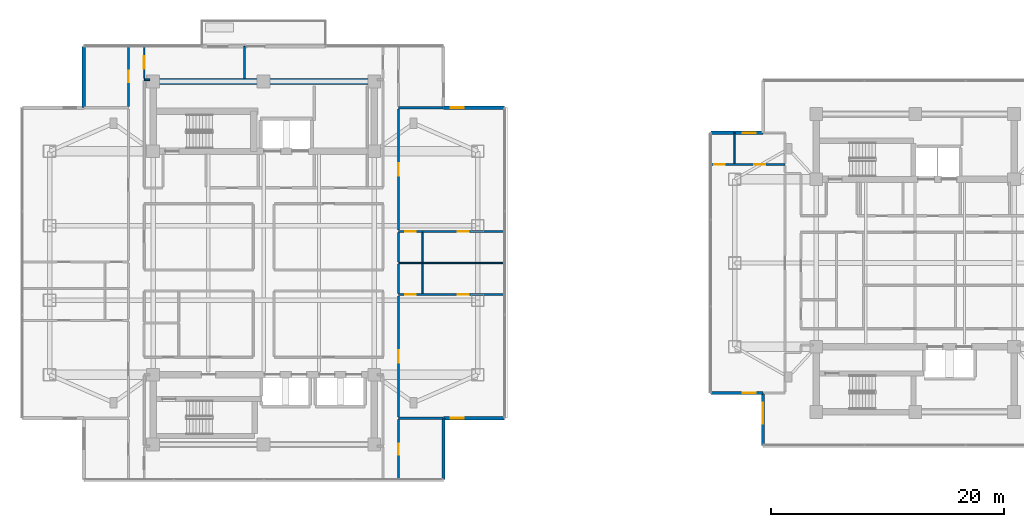
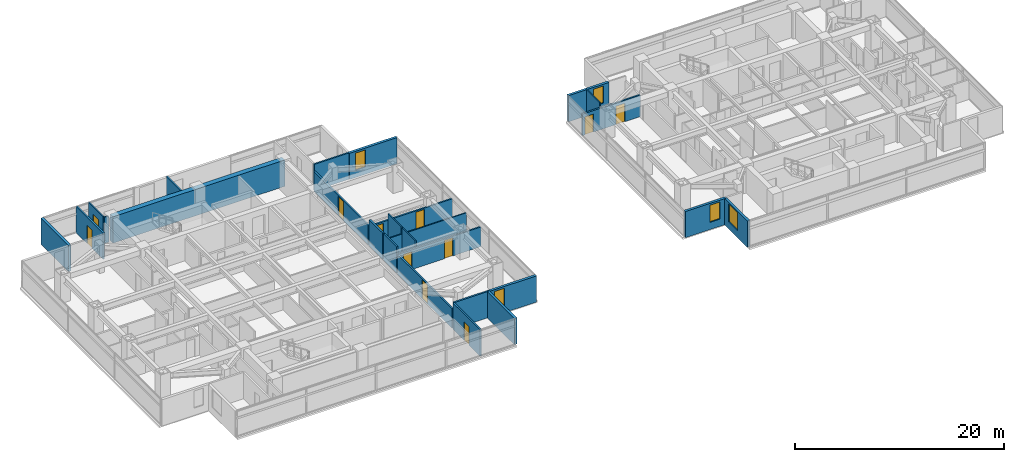
# One storey, part 16 of 26: 26 walls, 11 doors, 5 windows, 16 openings.
"""IFC4 building model written with IfcOpenShell, lengths in metres."""

from ifc_helpers import new_model, si_unit, direction, frame, frame_2d, origin, place, context, subcontext, project, spatial, rectangle, extrude, material, layer, layer_set, type_object, element, fill, save


model = new_model("IFC4")

# Units and contexts
model_context = context("Model", 3, precision=1e-05, world=origin(), true_north=direction((0.0, 1.0)))
body_context = subcontext(model_context, "Body", "Model", "MODEL_VIEW")
ifc_project = project(units=[si_unit("LENGTHUNIT", "METRE"), si_unit("AREAUNIT", "SQUARE_METRE"), si_unit("VOLUMEUNIT", "CUBIC_METRE"), si_unit("PLANEANGLEUNIT", "RADIAN"), si_unit("MASSUNIT", "GRAM", prefix="KILO")], contexts=[model_context])

# Site, building, storey
site_placement = place(None, origin())
site = spatial("IfcSite", under=ifc_project, at=site_placement, CompositionType="ELEMENT")
building_placement = place(site_placement, origin())
building = spatial("IfcBuilding", under=site, at=building_placement, Name="Mirazonda Arch Towers", CompositionType="ELEMENT")
storey_placement = place(building_placement, frame((0.0, 0.0, 128.0)))
storey = spatial("IfcBuildingStorey", under=building, at=storey_placement, Name="L36", CompositionType="ELEMENT", Elevation=128.0)

# Wall
ifc_material_1 = material(Name="Concrete C50/60", Category="concrete")
ifc_layer_1 = layer(ifc_material_1, 0.550048828125, Name="WALL-CORE-550")
ifc_layer_set_1 = layer_set([ifc_layer_1], Name="Concrete C50/60")
wall_type_1 = type_object("IfcWallType", Name="WALL-CORE-550", PredefinedType="SHEAR", material=ifc_layer_set_1)
wall_1_placement = place(storey_placement, frame((11.0, 43.60009765625, 0.0), z_axis=(0.0, 0.0, 1.0), x_axis=(1.0, 0.0, 0.0)))
element("IfcWall", 1, at=wall_1_placement, inside=storey, type_object=wall_type_1, Name="L36 T1N-N Core Shear Wall", PredefinedType="SHEAR", context=body_context, shape_type="SweptSolid", body=[
    extrude(rectangle(XDim=19.0, YDim=0.550048828125, at=frame_2d((9.5, 0.0))), origin(), (0.0, 0.0, 1.0), 3.080078125),
])

# Wall, opening, window
ifc_material_2 = material(Name="Precast Concrete C40/50", Category="concrete")
ifc_layer_2 = layer(ifc_material_2, 0.280029296875, Name="WALL-EXT-WALL-280")
ifc_layer_set_2 = layer_set([ifc_layer_2], Name="Precast Concrete C40/50")
wall_type_2 = type_object("IfcWallType", Name="WALL-EXT-WALL-280", PredefinedType="SOLIDWALL", material=ifc_layer_set_2)
wall_2_placement = place(storey_placement, frame((35.949951171875, 14.656005859375, 0.0), z_axis=(0.0, 0.0, 1.0), x_axis=(1.0, 0.0, 0.0)))
wall_2 = element("IfcWall", 2, at=wall_2_placement, inside=storey, type_object=wall_type_2, Name="L36 T1 Corner Notch Return Wall WL-L36-T1-CSE1", PredefinedType="SOLIDWALL", context=body_context, shape_type="SweptSolid", body=[
    extrude(rectangle(XDim=5.27001953125, YDim=0.280029296875, at=frame_2d((2.635009765625, 0.0))), origin(), (0.0, 0.0, 1.0), 3.06005859375),
])
opening_1_placement = place(wall_2_placement, frame((0.64990234375, 0.0, 0.85009765625)))
opening_1 = element("IfcOpeningElement", 3, at=opening_1_placement, cuts=wall_2, Name="Opening WN-108", PredefinedType="OPENING", context=body_context, shape_type="SweptSolid", body=[
    extrude(rectangle(XDim=1.10009765625, YDim=2.0, at=frame_2d((0.550048828125, 1.0))), frame((0.0, 0.14990234375, 0.0), z_axis=(0.0, -1.0, 0.0), x_axis=(1.0, 0.0, 0.0)), (0.0, 0.0, 1.0), 0.300048828125),
])
ifc_material_3 = material(Name="Insulated Low-E Solar Glass", Category="glass")
window_type_1 = type_object("IfcWindowType", Name="WIN-NOTCH-1100x2000", PartitioningType="SINGLE_PANEL", PredefinedType="WINDOW", material=ifc_material_3)
window_1_placement = place(opening_1_placement, origin())
window_1 = element("IfcWindow", 4, at=window_1_placement, inside=storey, type_object=window_type_1, Name="L36 Punched Facade Window WN-L36-T1-CSE1", OverallHeight=2.0, OverallWidth=1.10009765625, PartitioningType="SINGLE_PANEL", PredefinedType="WINDOW", context=body_context, shape_type="SweptSolid", body=[
    extrude(rectangle(XDim=1.10009765625, YDim=2.0, at=frame_2d((0.550048828125, 1.0))), frame((0.0, 0.030029296875, 0.0), z_axis=(0.0, -1.0, 0.0), x_axis=(1.0, 0.0, 0.0)), (0.0, 0.0, 1.0), 0.06005859375),
])
fill(opening_1, window_1)

# Walls
for number, where, z_axis, x_axis, name in (
    (5, (35.949951171875, 9.385986328125, 0.0), (0.0, 0.0, 1.0), (0.0, 1.0, 0.0), "L36 T1 Corner Notch Return Wall WL-L36-T1-CSE2"),
    (6, (5.050048828125, 46.614013671875, 0.0), (0.0, 0.0, 1.0), (0.0, -1.0, 0.0), "L36 T1 Corner Notch Return Wall WL-L36-T1-CNW2"),
):
    element("IfcWall", number, at=place(storey_placement, frame(where, z_axis=z_axis, x_axis=x_axis)), inside=storey, type_object=wall_type_2, Name=name, PredefinedType="SOLIDWALL", context=body_context, shape_type="SweptSolid", body=[
        extrude(rectangle(XDim=5.27001953125, YDim=0.280029296875, at=frame_2d((2.635009765625, 0.0))), origin(), (0.0, 0.0, 1.0), 3.06005859375),
    ])

# Wall, opening, window
wall_3_placement = place(storey_placement, frame((41.219970703125, 41.343994140625, 0.0), z_axis=(0.0, 0.0, 1.0), x_axis=(-1.0, 0.0, 0.0)))
wall_3 = element("IfcWall", 7, at=wall_3_placement, inside=storey, type_object=wall_type_2, Name="L36 T1 Corner Notch Return Wall WL-L36-T1-CNE2", PredefinedType="SOLIDWALL", context=body_context, shape_type="SweptSolid", body=[
    extrude(rectangle(XDim=5.27001953125, YDim=0.280029296875, at=frame_2d((2.635009765625, 0.0))), origin(), (0.0, 0.0, 1.0), 3.06005859375),
])
opening_2_placement = place(wall_3_placement, frame((3.52001953125, 0.0, 0.85009765625)))
opening_2 = element("IfcOpeningElement", 8, at=opening_2_placement, cuts=wall_3, Name="Opening WN-108", PredefinedType="OPENING", context=body_context, shape_type="SweptSolid", body=[
    extrude(rectangle(XDim=1.10009765625, YDim=2.0, at=frame_2d((0.550048828125, 1.0))), frame((0.0, 0.14990234375, 0.0), z_axis=(0.0, -1.0, 0.0), x_axis=(1.0, 0.0, 0.0)), (0.0, 0.0, 1.0), 0.300048828125),
])
window_2_placement = place(opening_2_placement, origin())
window_2 = element("IfcWindow", 9, at=window_2_placement, inside=storey, type_object=window_type_1, Name="L36 Punched Facade Window WN-L36-T1-CNE2", OverallHeight=2.0, OverallWidth=1.10009765625, PartitioningType="SINGLE_PANEL", PredefinedType="WINDOW", context=body_context, shape_type="SweptSolid", body=[
    extrude(rectangle(XDim=1.10009765625, YDim=2.0, at=frame_2d((0.550048828125, 1.0))), frame((0.0, 0.030029296875, 0.0), z_axis=(0.0, -1.0, 0.0), x_axis=(1.0, 0.0, 0.0)), (0.0, 0.0, 1.0), 0.06005859375),
])
fill(opening_2, window_2)

wall_4_placement = place(storey_placement, frame((63.427490234375, 16.817626953125, 0.0), z_axis=(0.0, 0.0, 1.0), x_axis=(0.0, -1.0, 0.0)))
wall_4 = element("IfcWall", 10, at=wall_4_placement, inside=storey, type_object=wall_type_2, Name="L36 T2 Notched SW Corner Wall WL-L36-T2-CSW", PredefinedType="SOLIDWALL", context=body_context, shape_type="SweptSolid", body=[
    extrude(rectangle(XDim=4.486572265625, YDim=0.280029296875, at=frame_2d((2.2431640625, 0.0))), origin(), (0.0, 0.0, 1.0), 3.06005859375),
])
opening_3_placement = place(wall_4_placement, frame((0.85009765625, 0.0, 0.81005859375)))
opening_3 = element("IfcOpeningElement", 11, at=opening_3_placement, cuts=wall_4, Name="Opening WN-116", PredefinedType="OPENING", context=body_context, shape_type="SweptSolid", body=[
    extrude(rectangle(XDim=1.800048828125, YDim=2.10009765625, at=frame_2d((0.89990234375, 1.050048828125))), frame((0.0, 0.14990234375, 0.0), z_axis=(0.0, -1.0, 0.0), x_axis=(1.0, 0.0, 0.0)), (0.0, 0.0, 1.0), 0.300048828125),
])
window_type_2 = type_object("IfcWindowType", Name="WIN-HTL-1800x2100", PartitioningType="SINGLE_PANEL", PredefinedType="WINDOW", material=ifc_material_3)
window_3_placement = place(opening_3_placement, origin())
window_3 = element("IfcWindow", 12, at=window_3_placement, inside=storey, type_object=window_type_2, Name="L36 Punched Facade Window WN-L36-T2-CSW", OverallHeight=2.10009765625, OverallWidth=1.800048828125, PartitioningType="SINGLE_PANEL", PredefinedType="WINDOW", context=body_context, shape_type="SweptSolid", body=[
    extrude(rectangle(XDim=1.800048828125, YDim=2.10009765625, at=frame_2d((0.89990234375, 1.050048828125))), frame((0.0, 0.030029296875, 0.0), z_axis=(0.0, -1.0, 0.0), x_axis=(1.0, 0.0, 0.0)), (0.0, 0.0, 1.0), 0.06005859375),
])
fill(opening_3, window_3)

wall_5_placement = place(storey_placement, frame((58.94091796875, 16.817626953125, 0.0), z_axis=(0.0, 0.0, 1.0), x_axis=(1.0, 0.0, 0.0)))
wall_5 = element("IfcWall", 13, at=wall_5_placement, inside=storey, type_object=wall_type_2, Name="L36 T2 Corner Notch Return Wall WL-L36-T2-CSW2", PredefinedType="SOLIDWALL", context=body_context, shape_type="SweptSolid", body=[
    extrude(rectangle(XDim=4.486572265625, YDim=0.280029296875, at=frame_2d((2.2431640625, 0.0))), origin(), (0.0, 0.0, 1.0), 3.06005859375),
])
opening_4_placement = place(wall_5_placement, frame((2.736083984375, 0.0, 0.85009765625)))
opening_4 = element("IfcOpeningElement", 14, at=opening_4_placement, cuts=wall_5, Name="Opening WN-108", PredefinedType="OPENING", context=body_context, shape_type="SweptSolid", body=[
    extrude(rectangle(XDim=1.10009765625, YDim=2.0, at=frame_2d((0.550048828125, 1.0))), frame((0.0, 0.14990234375, 0.0), z_axis=(0.0, -1.0, 0.0), x_axis=(1.0, 0.0, 0.0)), (0.0, 0.0, 1.0), 0.300048828125),
])
window_4_placement = place(opening_4_placement, origin())
window_4 = element("IfcWindow", 15, at=window_4_placement, inside=storey, type_object=window_type_1, Name="L36 Punched Facade Window WN-L36-T2-CSW2", OverallHeight=2.0, OverallWidth=1.10009765625, PartitioningType="SINGLE_PANEL", PredefinedType="WINDOW", context=body_context, shape_type="SweptSolid", body=[
    extrude(rectangle(XDim=1.10009765625, YDim=2.0, at=frame_2d((0.550048828125, 1.0))), frame((0.0, 0.030029296875, 0.0), z_axis=(0.0, -1.0, 0.0), x_axis=(1.0, 0.0, 0.0)), (0.0, 0.0, 1.0), 0.06005859375),
])
fill(opening_4, window_4)

wall_6_placement = place(storey_placement, frame((63.427490234375, 39.182373046875, 0.0), z_axis=(0.0, 0.0, 1.0), x_axis=(-1.0, 0.0, 0.0)))
wall_6 = element("IfcWall", 16, at=wall_6_placement, inside=storey, type_object=wall_type_2, Name="L36 T2 Corner Notch Return Wall WL-L36-T2-CNW1", PredefinedType="SOLIDWALL", context=body_context, shape_type="SweptSolid", body=[
    extrude(rectangle(XDim=4.486572265625, YDim=0.280029296875, at=frame_2d((2.2431640625, 0.0))), origin(), (0.0, 0.0, 1.0), 3.06005859375),
])
opening_5_placement = place(wall_6_placement, frame((0.64990234375, 0.0, 0.85009765625)))
opening_5 = element("IfcOpeningElement", 17, at=opening_5_placement, cuts=wall_6, Name="Opening WN-108", PredefinedType="OPENING", context=body_context, shape_type="SweptSolid", body=[
    extrude(rectangle(XDim=1.10009765625, YDim=2.0, at=frame_2d((0.550048828125, 1.0))), frame((0.0, 0.14990234375, 0.0), z_axis=(0.0, -1.0, 0.0), x_axis=(1.0, 0.0, 0.0)), (0.0, 0.0, 1.0), 0.300048828125),
])
window_5_placement = place(opening_5_placement, origin())
window_5 = element("IfcWindow", 18, at=window_5_placement, inside=storey, type_object=window_type_1, Name="L36 Punched Facade Window WN-L36-T2-CNW1", OverallHeight=2.0, OverallWidth=1.10009765625, PartitioningType="SINGLE_PANEL", PredefinedType="WINDOW", context=body_context, shape_type="SweptSolid", body=[
    extrude(rectangle(XDim=1.10009765625, YDim=2.0, at=frame_2d((0.550048828125, 1.0))), frame((0.0, 0.030029296875, 0.0), z_axis=(0.0, -1.0, 0.0), x_axis=(1.0, 0.0, 0.0)), (0.0, 0.0, 1.0), 0.06005859375),
])
fill(opening_5, window_5)

# Wall
ifc_material_4 = material(Name="Fire-Rated Gypsum Stud Partition")
ifc_layer_3 = layer(ifc_material_4, 0.14990234375, Name="WALL-PART-CORR-150")
ifc_layer_set_3 = layer_set([ifc_layer_3], Name="Fire-Rated Gypsum Stud Partition")
wall_type_3 = type_object("IfcWallType", Name="WALL-PART-CORR-150", PredefinedType="PARTITIONING", material=ifc_layer_set_3)
wall_7_placement = place(storey_placement, frame((10.239990234375, 43.75, 0.0), z_axis=(0.0, 0.0, 1.0), x_axis=(1.0, 0.0, 0.0)))
element("IfcWall", 19, at=wall_7_placement, inside=storey, type_object=wall_type_3, Name="L36 Interior Partition 057", PredefinedType="PARTITIONING", context=body_context, shape_type="SweptSolid", body=[
    extrude(rectangle(XDim=0.489990234375, YDim=0.14990234375, at=frame_2d((0.2451171875, 0.0))), origin(), (0.0, 0.0, 1.0), 3.080078125),
])

# Wall, opening, door
wall_8_placement = place(storey_placement, frame((10.239990234375, 43.8349609375, 0.0), z_axis=(0.0, 0.0, 1.0), x_axis=(0.0, 1.0, 0.0)))
wall_8 = element("IfcWall", 20, at=wall_8_placement, inside=storey, type_object=wall_type_3, Name="L36 Interior Partition 073", PredefinedType="PARTITIONING", context=body_context, shape_type="SweptSolid", body=[
    extrude(rectangle(XDim=2.779052734375, YDim=0.14990234375, at=frame_2d((1.3896484375, 0.0))), origin(), (0.0, 0.0, 1.0), 3.080078125),
])
opening_6_placement = place(wall_8_placement, frame((0.864501953125, 0.0, 0.0)))
opening_6 = element("IfcOpeningElement", 21, at=opening_6_placement, cuts=wall_8, Name="Opening DR-121", PredefinedType="OPENING", context=body_context, shape_type="SweptSolid", body=[
    extrude(rectangle(XDim=1.050048828125, YDim=2.199951171875, at=frame_2d((0.52490234375, 1.10009765625))), frame((0.0, 0.0849609375, 0.0), z_axis=(0.0, -1.0, 0.0), x_axis=(1.0, 0.0, 0.0)), (0.0, 0.0, 1.0), 0.169921875),
])
ifc_material_5 = material(Name="Architectural Brushed Steel S355", Category="steel")
door_type_1 = type_object("IfcDoorType", Name="DOOR-SUITE-FD60-1050", OperationType="NOTDEFINED", PredefinedType="DOOR", material=ifc_material_5)
door_1_placement = place(opening_6_placement, origin())
door_1 = element("IfcDoor", 22, at=door_1_placement, inside=storey, type_object=door_type_1, Name="L36 North Reading Salon West Door", OperationType="SINGLE_SWING_LEFT", OverallHeight=2.199951171875, OverallWidth=1.050048828125, PredefinedType="DOOR", context=body_context, shape_type="SweptSolid", body=[
    extrude(rectangle(XDim=1.050048828125, YDim=2.199951171875, at=frame_2d((0.52490234375, 1.10009765625))), frame((0.0, 0.02490234375, 0.0), z_axis=(0.0, -1.0, 0.0), x_axis=(1.0, 0.0, 0.0)), (0.0, 0.0, 1.0), 0.050048828125),
])
fill(opening_6, door_1)

# Walls
wall_9_placement = place(storey_placement, frame((18.85791015625, 43.8701171875, 0.0), z_axis=(0.0, 0.0, 1.0), x_axis=(0.0, 1.0, 0.0)))
element("IfcWall", 23, at=wall_9_placement, inside=storey, type_object=wall_type_3, Name="L36 Interior Partition 078", PredefinedType="PARTITIONING", context=body_context, shape_type="SweptSolid", body=[
    extrude(rectangle(XDim=2.743896484375, YDim=0.14990234375, at=frame_2d((1.3720703125, 0.0))), origin(), (0.0, 0.0, 1.0), 3.080078125),
])
ifc_material_6 = material(Name="Fire-Rated Gypsum Twin-Stud Assembly")
ifc_layer_4 = layer(ifc_material_6, 0.179931640625, Name="WALL-PART-DEMISE-180")
ifc_layer_set_4 = layer_set([ifc_layer_4], Name="Fire-Rated Gypsum Twin-Stud Assembly")
wall_type_4 = type_object("IfcWallType", Name="WALL-PART-DEMISE-180", PredefinedType="PARTITIONING", material=ifc_layer_set_4)
wall_10_placement = place(storey_placement, frame((32.10009765625, 14.656005859375, 0.0), z_axis=(0.0, 0.0, 1.0), x_axis=(1.0, 0.0, 0.0)))
element("IfcWall", 24, at=wall_10_placement, inside=storey, type_object=wall_type_4, Name="L36 Interior Partition 005", PredefinedType="PARTITIONING", context=body_context, shape_type="SweptSolid", body=[
    extrude(rectangle(XDim=3.829833984375, YDim=0.179931640625, at=frame_2d((1.9150390625, 0.0))), origin(), (0.0, 0.0, 1.0), 3.080078125),
])

# Wall, openings, doors
wall_11_placement = place(storey_placement, frame((32.10009765625, 25.280029296875, 0.0), z_axis=(0.0, 0.0, 1.0), x_axis=(1.0, 0.0, 0.0)))
wall_11 = element("IfcWall", 25, at=wall_11_placement, inside=storey, type_object=wall_type_4, Name="L36 Interior Partition 026", PredefinedType="PARTITIONING", context=body_context, shape_type="SweptSolid", body=[
    extrude(rectangle(XDim=9.119873046875, YDim=0.179931640625, at=frame_2d((4.56005859375, 0.0))), origin(), (0.0, 0.0, 1.0), 2.299072265625),
])
opening_7_placement = place(wall_11_placement, frame((5.0849609375, 0.0, 0.0)))
opening_7 = element("IfcOpeningElement", 26, at=opening_7_placement, cuts=wall_11, Name="Opening DR-104", PredefinedType="OPENING", context=body_context, shape_type="SweptSolid", body=[
    extrude(rectangle(XDim=0.949951171875, YDim=2.14990234375, at=frame_2d((0.47509765625, 1.074951171875))), frame((0.0, 0.099853515625, 0.0), z_axis=(0.0, -1.0, 0.0), x_axis=(1.0, 0.0, 0.0)), (0.0, 0.0, 1.0), 0.199951171875),
])
opening_8_placement = place(wall_11_placement, frame((0.590087890625, 0.0, 0.0)))
opening_8 = element("IfcOpeningElement", 27, at=opening_8_placement, cuts=wall_11, Name="Opening DR-120", PredefinedType="OPENING", context=body_context, shape_type="SweptSolid", body=[
    extrude(rectangle(XDim=0.89990234375, YDim=2.10009765625, at=frame_2d((0.449951171875, 1.050048828125))), frame((0.0, 0.099853515625, 0.0), z_axis=(0.0, -1.0, 0.0), x_axis=(1.0, 0.0, 0.0)), (0.0, 0.0, 1.0), 0.199951171875),
])
door_type_2 = type_object("IfcDoorType", Name="DOOR-ROOM-950", OperationType="NOTDEFINED", PredefinedType="DOOR", material=ifc_material_5)
door_2_placement = place(opening_7_placement, origin())
door_2 = element("IfcDoor", 28, at=door_2_placement, inside=storey, type_object=door_type_2, Name="L36 Suite Bedroom 1 Door", OperationType="SINGLE_SWING_LEFT", OverallHeight=2.14990234375, OverallWidth=0.949951171875, PredefinedType="DOOR", context=body_context, shape_type="SweptSolid", body=[
    extrude(rectangle(XDim=0.949951171875, YDim=2.14990234375, at=frame_2d((0.47509765625, 1.074951171875))), frame((0.0, 0.02490234375, 0.0), z_axis=(0.0, -1.0, 0.0), x_axis=(1.0, 0.0, 0.0)), (0.0, 0.0, 1.0), 0.050048828125),
])
fill(opening_7, door_2)
door_type_3 = type_object("IfcDoorType", Name="DOOR-WC-900", OperationType="NOTDEFINED", PredefinedType="DOOR", material=ifc_material_5)
door_3_placement = place(opening_8_placement, origin())
door_3 = element("IfcDoor", 29, at=door_3_placement, inside=storey, type_object=door_type_3, Name="L36 Suite En-Suite Bathroom 1 Door", OperationType="SINGLE_SWING_RIGHT", OverallHeight=2.10009765625, OverallWidth=0.89990234375, PredefinedType="DOOR", context=body_context, shape_type="SweptSolid", body=[
    extrude(rectangle(XDim=0.89990234375, YDim=2.10009765625, at=frame_2d((0.449951171875, 1.050048828125))), frame((0.0, 0.02490234375, 0.0), z_axis=(0.0, -1.0, 0.0), x_axis=(1.0, 0.0, 0.0)), (0.0, 0.0, 1.0), 0.050048828125),
])
fill(opening_8, door_3)

wall_12_placement = place(storey_placement, frame((32.10009765625, 30.719970703125, 0.0), z_axis=(0.0, 0.0, 1.0), x_axis=(1.0, 0.0, 0.0)))
wall_12 = element("IfcWall", 30, at=wall_12_placement, inside=storey, type_object=wall_type_4, Name="L36 Interior Partition 039", PredefinedType="PARTITIONING", context=body_context, shape_type="SweptSolid", body=[
    extrude(rectangle(XDim=9.119873046875, YDim=0.179931640625, at=frame_2d((4.56005859375, 0.0))), origin(), (0.0, 0.0, 1.0), 2.299072265625),
])
opening_9_placement = place(wall_12_placement, frame((5.0849609375, 0.0, 0.0)))
opening_9 = element("IfcOpeningElement", 31, at=opening_9_placement, cuts=wall_12, Name="Opening DR-104", PredefinedType="OPENING", context=body_context, shape_type="SweptSolid", body=[
    extrude(rectangle(XDim=0.949951171875, YDim=2.14990234375, at=frame_2d((0.47509765625, 1.074951171875))), frame((0.0, 0.099853515625, 0.0), z_axis=(0.0, -1.0, 0.0), x_axis=(1.0, 0.0, 0.0)), (0.0, 0.0, 1.0), 0.199951171875),
])
opening_10_placement = place(wall_12_placement, frame((0.590087890625, 0.0, 0.0)))
opening_10 = element("IfcOpeningElement", 32, at=opening_10_placement, cuts=wall_12, Name="Opening DR-120", PredefinedType="OPENING", context=body_context, shape_type="SweptSolid", body=[
    extrude(rectangle(XDim=0.89990234375, YDim=2.10009765625, at=frame_2d((0.449951171875, 1.050048828125))), frame((0.0, 0.099853515625, 0.0), z_axis=(0.0, -1.0, 0.0), x_axis=(1.0, 0.0, 0.0)), (0.0, 0.0, 1.0), 0.199951171875),
])
door_4_placement = place(opening_9_placement, origin())
door_4 = element("IfcDoor", 33, at=door_4_placement, inside=storey, type_object=door_type_2, Name="L36 Suite Bedroom 2 Door", OperationType="SINGLE_SWING_RIGHT", OverallHeight=2.14990234375, OverallWidth=0.949951171875, PredefinedType="DOOR", context=body_context, shape_type="SweptSolid", body=[
    extrude(rectangle(XDim=0.949951171875, YDim=2.14990234375, at=frame_2d((0.47509765625, 1.074951171875))), frame((0.0, 0.02490234375, 0.0), z_axis=(0.0, -1.0, 0.0), x_axis=(1.0, 0.0, 0.0)), (0.0, 0.0, 1.0), 0.050048828125),
])
fill(opening_9, door_4)
door_5_placement = place(opening_10_placement, origin())
door_5 = element("IfcDoor", 34, at=door_5_placement, inside=storey, type_object=door_type_3, Name="L36 Suite En-Suite Bathroom 2 Door", OperationType="SINGLE_SWING_LEFT", OverallHeight=2.10009765625, OverallWidth=0.89990234375, PredefinedType="DOOR", context=body_context, shape_type="SweptSolid", body=[
    extrude(rectangle(XDim=0.89990234375, YDim=2.10009765625, at=frame_2d((0.449951171875, 1.050048828125))), frame((0.0, 0.02490234375, 0.0), z_axis=(0.0, -1.0, 0.0), x_axis=(1.0, 0.0, 0.0)), (0.0, 0.0, 1.0), 0.050048828125),
])
fill(opening_10, door_5)

wall_13_placement = place(storey_placement, frame((58.94091796875, 36.4619140625, 0.0), z_axis=(0.0, 0.0, 1.0), x_axis=(1.0, 0.0, 0.0)))
wall_13 = element("IfcWall", 35, at=wall_13_placement, inside=storey, type_object=wall_type_4, Name="L36 Interior Partition 049", PredefinedType="PARTITIONING", context=body_context, shape_type="SweptSolid", body=[
    extrude(rectangle(XDim=6.379150390625, YDim=0.179931640625, at=frame_2d((3.189453125, 0.0))), origin(), (0.0, 0.0, 1.0), 2.52294921875),
])
opening_11_placement = place(wall_13_placement, frame((3.714599609375, 0.0, 0.0)))
opening_11 = element("IfcOpeningElement", 36, at=opening_11_placement, cuts=wall_13, Name="Opening DR-104", PredefinedType="OPENING", context=body_context, shape_type="SweptSolid", body=[
    extrude(rectangle(XDim=0.949951171875, YDim=2.14990234375, at=frame_2d((0.47509765625, 1.074951171875))), frame((0.0, 0.099853515625, 0.0), z_axis=(0.0, -1.0, 0.0), x_axis=(1.0, 0.0, 0.0)), (0.0, 0.0, 1.0), 0.199951171875),
])
opening_12_placement = place(wall_13_placement, frame((0.2900390625, 0.0, 0.0)))
opening_12 = element("IfcOpeningElement", 37, at=opening_12_placement, cuts=wall_13, Name="Opening DR-120", PredefinedType="OPENING", context=body_context, shape_type="SweptSolid", body=[
    extrude(rectangle(XDim=0.89990234375, YDim=2.10009765625, at=frame_2d((0.449951171875, 1.050048828125))), frame((0.0, 0.099853515625, 0.0), z_axis=(0.0, -1.0, 0.0), x_axis=(1.0, 0.0, 0.0)), (0.0, 0.0, 1.0), 0.199951171875),
])
door_6_placement = place(opening_11_placement, origin())
door_6 = element("IfcDoor", 38, at=door_6_placement, inside=storey, type_object=door_type_2, Name="L36 Suite Bedroom 1 Door", OperationType="SINGLE_SWING_RIGHT", OverallHeight=2.14990234375, OverallWidth=0.949951171875, PredefinedType="DOOR", context=body_context, shape_type="SweptSolid", body=[
    extrude(rectangle(XDim=0.949951171875, YDim=2.14990234375, at=frame_2d((0.47509765625, 1.074951171875))), frame((0.0, 0.02490234375, 0.0), z_axis=(0.0, -1.0, 0.0), x_axis=(1.0, 0.0, 0.0)), (0.0, 0.0, 1.0), 0.050048828125),
])
fill(opening_11, door_6)
door_7_placement = place(opening_12_placement, origin())
door_7 = element("IfcDoor", 39, at=door_7_placement, inside=storey, type_object=door_type_3, Name="L36 Suite En-Suite Bathroom 1 Door", OperationType="SINGLE_SWING_LEFT", OverallHeight=2.10009765625, OverallWidth=0.89990234375, PredefinedType="DOOR", context=body_context, shape_type="SweptSolid", body=[
    extrude(rectangle(XDim=0.89990234375, YDim=2.10009765625, at=frame_2d((0.449951171875, 1.050048828125))), frame((0.0, 0.02490234375, 0.0), z_axis=(0.0, -1.0, 0.0), x_axis=(1.0, 0.0, 0.0)), (0.0, 0.0, 1.0), 0.050048828125),
])
fill(opening_12, door_7)

# Wall
wall_14_placement = place(storey_placement, frame((32.10009765625, 41.343994140625, 0.0), z_axis=(0.0, 0.0, 1.0), x_axis=(1.0, 0.0, 0.0)))
element("IfcWall", 40, at=wall_14_placement, inside=storey, type_object=wall_type_4, Name="L36 Interior Partition 056", PredefinedType="PARTITIONING", context=body_context, shape_type="SweptSolid", body=[
    extrude(rectangle(XDim=3.829833984375, YDim=0.179931640625, at=frame_2d((1.9150390625, 0.0))), origin(), (0.0, 0.0, 1.0), 3.080078125),
])

# Wall, opening, door
wall_15_placement = place(storey_placement, frame((8.89990234375, 41.444091796875, 0.0), z_axis=(0.0, 0.0, 1.0), x_axis=(0.0, 1.0, 0.0)))
wall_15 = element("IfcWall", 41, at=wall_15_placement, inside=storey, type_object=wall_type_4, Name="L36 Interior Partition 066", PredefinedType="PARTITIONING", context=body_context, shape_type="SweptSolid", body=[
    extrude(rectangle(XDim=5.169921875, YDim=0.179931640625, at=frame_2d((2.5849609375, 0.0))), origin(), (0.0, 0.0, 1.0), 3.080078125),
])
opening_13_placement = place(wall_15_placement, frame((2.110107421875, 0.0, 0.0)))
opening_13 = element("IfcOpeningElement", 42, at=opening_13_placement, cuts=wall_15, Name="Opening DR-104", PredefinedType="OPENING", context=body_context, shape_type="SweptSolid", body=[
    extrude(rectangle(XDim=0.949951171875, YDim=2.14990234375, at=frame_2d((0.47509765625, 1.074951171875))), frame((0.0, 0.099853515625, 0.0), z_axis=(0.0, -1.0, 0.0), x_axis=(1.0, 0.0, 0.0)), (0.0, 0.0, 1.0), 0.199951171875),
])
door_8_placement = place(opening_13_placement, origin())
door_8 = element("IfcDoor", 43, at=door_8_placement, inside=storey, type_object=door_type_2, Name="L36 North Reading Salon Alcove West Door", OperationType="SINGLE_SWING_LEFT", OverallHeight=2.14990234375, OverallWidth=0.949951171875, PredefinedType="DOOR", context=body_context, shape_type="SweptSolid", body=[
    extrude(rectangle(XDim=0.949951171875, YDim=2.14990234375, at=frame_2d((0.47509765625, 1.074951171875))), frame((0.0, 0.02490234375, 0.0), z_axis=(0.0, -1.0, 0.0), x_axis=(1.0, 0.0, 0.0)), (0.0, 0.0, 1.0), 0.050048828125),
])
fill(opening_13, door_8)

wall_16_placement = place(storey_placement, frame((32.10009765625, 9.385986328125, 0.0), z_axis=(0.0, 0.0, 1.0), x_axis=(0.0, 1.0, 0.0)))
wall_16 = element("IfcWall", 44, at=wall_16_placement, inside=storey, type_object=wall_type_4, Name="L36 Interior Partition 102", PredefinedType="PARTITIONING", context=body_context, shape_type="SweptSolid", body=[
    extrude(rectangle(XDim=5.169921875, YDim=0.179931640625, at=frame_2d((2.5849609375, 0.0))), origin(), (0.0, 0.0, 1.0), 3.080078125),
])
opening_14_placement = place(wall_16_placement, frame((2.110107421875, 0.0, 0.0)))
opening_14 = element("IfcOpeningElement", 45, at=opening_14_placement, cuts=wall_16, Name="Opening DR-104", PredefinedType="OPENING", context=body_context, shape_type="SweptSolid", body=[
    extrude(rectangle(XDim=0.949951171875, YDim=2.14990234375, at=frame_2d((0.47509765625, 1.074951171875))), frame((0.0, 0.099853515625, 0.0), z_axis=(0.0, -1.0, 0.0), x_axis=(1.0, 0.0, 0.0)), (0.0, 0.0, 1.0), 0.199951171875),
])
door_9_placement = place(opening_14_placement, origin())
door_9 = element("IfcDoor", 46, at=door_9_placement, inside=storey, type_object=door_type_2, Name="L36 South Horizon Lounge Alcove East Door", OperationType="SINGLE_SWING_RIGHT", OverallHeight=2.14990234375, OverallWidth=0.949951171875, PredefinedType="DOOR", context=body_context, shape_type="SweptSolid", body=[
    extrude(rectangle(XDim=0.949951171875, YDim=2.14990234375, at=frame_2d((0.47509765625, 1.074951171875))), frame((0.0, 0.02490234375, 0.0), z_axis=(0.0, -1.0, 0.0), x_axis=(1.0, 0.0, 0.0)), (0.0, 0.0, 1.0), 0.050048828125),
])
fill(opening_14, door_9)

wall_17_placement = place(storey_placement, frame((32.10009765625, 14.756103515625, 0.0), z_axis=(0.0, 0.0, 1.0), x_axis=(0.0, 1.0, 0.0)))
wall_17 = element("IfcWall", 47, at=wall_17_placement, inside=storey, type_object=wall_type_4, Name="L36 Interior Partition 103", PredefinedType="PARTITIONING", context=body_context, shape_type="SweptSolid", body=[
    extrude(rectangle(XDim=10.423828125, YDim=0.179931640625, at=frame_2d((5.2119140625, 0.0))), origin(), (0.0, 0.0, 1.0), 2.299072265625),
])
opening_15_placement = place(wall_17_placement, frame((4.68701171875, 0.0, 0.0)))
opening_15 = element("IfcOpeningElement", 48, at=opening_15_placement, cuts=wall_17, Name="Opening DR-121", PredefinedType="OPENING", context=body_context, shape_type="SweptSolid", body=[
    extrude(rectangle(XDim=1.050048828125, YDim=2.199951171875, at=frame_2d((0.52490234375, 1.10009765625))), frame((0.0, 0.099853515625, 0.0), z_axis=(0.0, -1.0, 0.0), x_axis=(1.0, 0.0, 0.0)), (0.0, 0.0, 1.0), 0.199951171875),
])
door_10_placement = place(opening_15_placement, origin())
door_10 = element("IfcDoor", 49, at=door_10_placement, inside=storey, type_object=door_type_1, Name="L36 Presidential Hotel Suite 1 Door", OperationType="SINGLE_SWING_RIGHT", OverallHeight=2.199951171875, OverallWidth=1.050048828125, PredefinedType="DOOR", context=body_context, shape_type="SweptSolid", body=[
    extrude(rectangle(XDim=1.050048828125, YDim=2.199951171875, at=frame_2d((0.52490234375, 1.10009765625))), frame((0.0, 0.02490234375, 0.0), z_axis=(0.0, -1.0, 0.0), x_axis=(1.0, 0.0, 0.0)), (0.0, 0.0, 1.0), 0.050048828125),
])
fill(opening_15, door_10)

# Walls
for number, where, z_axis, x_axis, name in (
    (50, (32.10009765625, 25.3798828125, 0.0), (0.0, 0.0, 1.0), (0.0, 1.0, 0.0), "L36 Interior Partition 104"),
    (51, (32.10009765625, 28.072509765625, 0.0), (0.0, 0.0, 1.0), (0.0, 1.0, 0.0), "L36 Interior Partition 105"),
):
    element("IfcWall", number, at=place(storey_placement, frame(where, z_axis=z_axis, x_axis=x_axis)), inside=storey, type_object=wall_type_4, Name=name, PredefinedType="PARTITIONING", context=body_context, shape_type="SweptSolid", body=[
        extrude(rectangle(XDim=2.547607421875, YDim=0.179931640625, at=frame_2d((1.27392578125, 0.0))), origin(), (0.0, 0.0, 1.0), 3.080078125),
    ])

# Wall, opening, door
wall_18_placement = place(storey_placement, frame((32.10009765625, 30.820068359375, 0.0), z_axis=(0.0, 0.0, 1.0), x_axis=(0.0, 1.0, 0.0)))
wall_18 = element("IfcWall", 52, at=wall_18_placement, inside=storey, type_object=wall_type_4, Name="L36 Interior Partition 106", PredefinedType="PARTITIONING", context=body_context, shape_type="SweptSolid", body=[
    extrude(rectangle(XDim=10.423828125, YDim=0.179931640625, at=frame_2d((5.2119140625, 0.0))), origin(), (0.0, 0.0, 1.0), 2.299072265625),
])
opening_16_placement = place(wall_18_placement, frame((4.68701171875, 0.0, 0.0)))
opening_16 = element("IfcOpeningElement", 53, at=opening_16_placement, cuts=wall_18, Name="Opening DR-121", PredefinedType="OPENING", context=body_context, shape_type="SweptSolid", body=[
    extrude(rectangle(XDim=1.050048828125, YDim=2.199951171875, at=frame_2d((0.52490234375, 1.10009765625))), frame((0.0, 0.099853515625, 0.0), z_axis=(0.0, -1.0, 0.0), x_axis=(1.0, 0.0, 0.0)), (0.0, 0.0, 1.0), 0.199951171875),
])
door_11_placement = place(opening_16_placement, origin())
door_11 = element("IfcDoor", 54, at=door_11_placement, inside=storey, type_object=door_type_1, Name="L36 Presidential Hotel Suite 2 Door", OperationType="SINGLE_SWING_LEFT", OverallHeight=2.199951171875, OverallWidth=1.050048828125, PredefinedType="DOOR", context=body_context, shape_type="SweptSolid", body=[
    extrude(rectangle(XDim=1.050048828125, YDim=2.199951171875, at=frame_2d((0.52490234375, 1.10009765625))), frame((0.0, 0.02490234375, 0.0), z_axis=(0.0, -1.0, 0.0), x_axis=(1.0, 0.0, 0.0)), (0.0, 0.0, 1.0), 0.050048828125),
])
fill(opening_16, door_11)

# Walls
ifc_material_7 = material(Name="Acoustic Fire-Rated Gypsum Partition")
ifc_layer_5 = layer(ifc_material_7, 0.125, Name="WALL-PART-UNIT-125")
ifc_layer_set_5 = layer_set([ifc_layer_5], Name="Acoustic Fire-Rated Gypsum Partition")
wall_type_5 = type_object("IfcWallType", Name="WALL-PART-UNIT-125", PredefinedType="PARTITIONING", material=ifc_layer_set_5)
wall_19_placement = place(storey_placement, frame((32.10009765625, 28.0, 0.0), z_axis=(0.0, 0.0, 1.0), x_axis=(1.0, 0.0, 0.0)))
element("IfcWall", 55, at=wall_19_placement, inside=storey, type_object=wall_type_5, Name="L36 Interior Partition 035", PredefinedType="PARTITIONING", context=body_context, shape_type="SweptSolid", body=[
    extrude(rectangle(XDim=9.119873046875, YDim=0.125, at=frame_2d((4.56005859375, 0.0))), origin(), (0.0, 0.0, 1.0), 2.299072265625),
])
for number, where, z_axis, x_axis, name in (
    (56, (34.139892578125, 25.3798828125, 0.0), (0.0, 0.0, 1.0), (0.0, 1.0, 0.0), "L36 Interior Partition 108"),
    (57, (34.139892578125, 28.072509765625, 0.0), (0.0, 0.0, 1.0), (0.0, 1.0, 0.0), "L36 Interior Partition 109"),
):
    element("IfcWall", number, at=place(storey_placement, frame(where, z_axis=z_axis, x_axis=x_axis)), inside=storey, type_object=wall_type_5, Name=name, PredefinedType="PARTITIONING", context=body_context, shape_type="SweptSolid", body=[
        extrude(rectangle(XDim=2.547607421875, YDim=0.125, at=frame_2d((1.27392578125, 0.0))), origin(), (0.0, 0.0, 1.0), 3.080078125),
    ])
wall_20_placement = place(storey_placement, frame((60.98095703125, 36.56201171875, 0.0), z_axis=(0.0, 0.0, 1.0), x_axis=(0.0, 1.0, 0.0)))
element("IfcWall", 58, at=wall_20_placement, inside=storey, type_object=wall_type_5, Name="L36 Interior Partition 110", PredefinedType="PARTITIONING", context=body_context, shape_type="SweptSolid", body=[
    extrude(rectangle(XDim=2.619873046875, YDim=0.125, at=frame_2d((1.31005859375, 0.0))), origin(), (0.0, 0.0, 1.0), 3.080078125),
])

save(model, "model.ifc")
